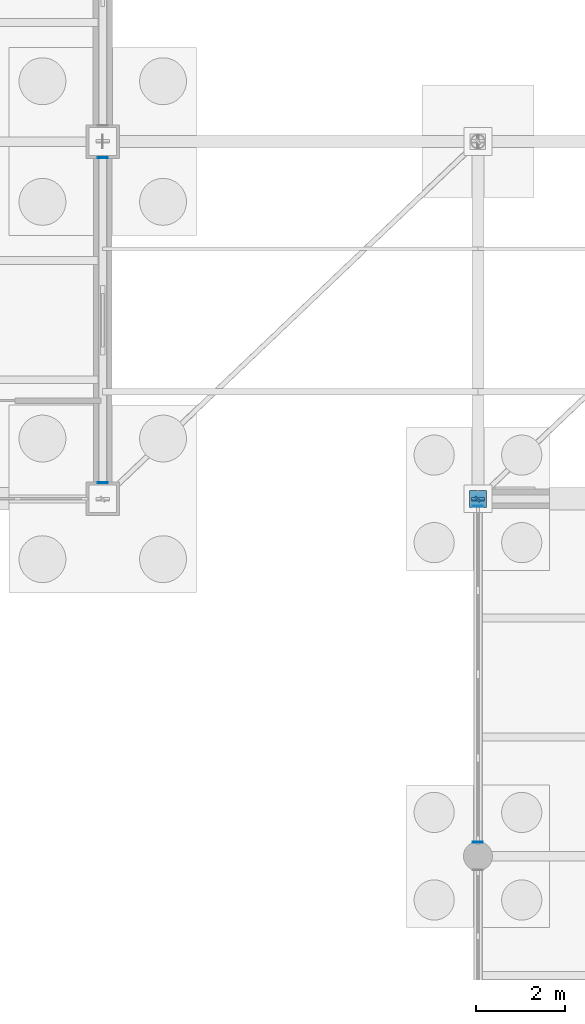
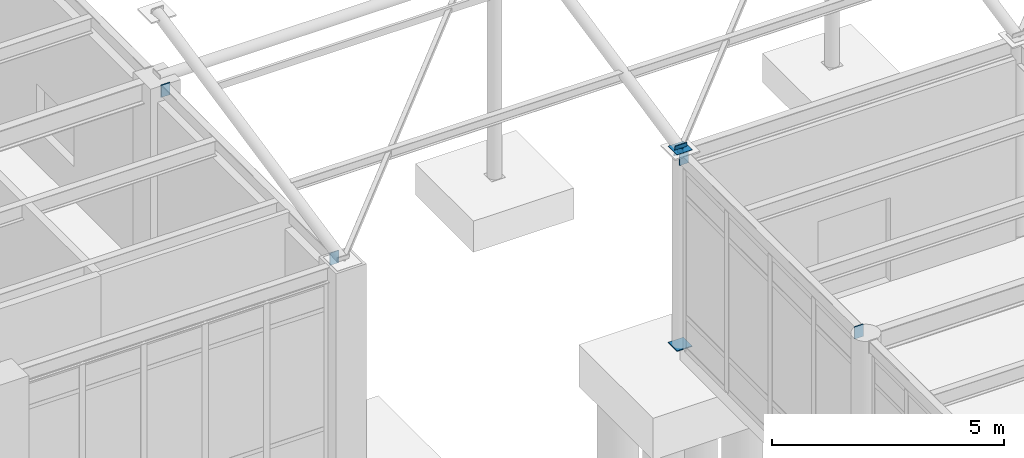
# One storey, part 105 of 138: 8 discrete accessories.
"""IFC4 building model written with IfcOpenShell, lengths in metres."""

from ifc_helpers import new_model, si_unit, direction, frame, origin, origin_2d, place, context, subcontext, project, spatial, rectangle, extrude, material, layer, layer_set, type_object, element, save


model = new_model("IFC4")

# Units and contexts
model_context = context("Model", 3, precision=1e-05, world=origin(), true_north=direction((0.0, 1.0)))
body_context = subcontext(model_context, "Body", "Model", "MODEL_VIEW")
ifc_project = project(units=[si_unit("LENGTHUNIT", "METRE"), si_unit("AREAUNIT", "SQUARE_METRE"), si_unit("VOLUMEUNIT", "CUBIC_METRE"), si_unit("PLANEANGLEUNIT", "RADIAN"), si_unit("MASSUNIT", "GRAM", prefix="KILO")], contexts=[model_context])

# Site, building, storey
site_placement = place(None, origin())
site = spatial("IfcSite", under=ifc_project, at=site_placement, CompositionType="ELEMENT")
building_placement = place(site_placement, origin())
building = spatial("IfcBuilding", under=site, at=building_placement, Name="Kranzveld Transit Interchange", CompositionType="ELEMENT")
storey_placement = place(building_placement, origin())
storey = spatial("IfcBuildingStorey", under=building, at=storey_placement, Name="L00", CompositionType="ELEMENT", Elevation=0.0)

# Discrete accessories
ifc_material = material(Name="Steel S355JR", Category="steel")
ifc_layer = layer(ifc_material, 0.02001953125)
ifc_layer_set = layer_set([ifc_layer], Name="Steel S355JR")
discrete_accessory_type = type_object("IfcDiscreteAccessoryType", Name="Hollow Section End Cap Bracket 20 S355JR", PredefinedType="BRACKET", material=ifc_layer_set)
for number, where, z_axis, x_axis, name in (
    (1, (58.800048828125, 88.0, 0.00390625), (0.0, 0.0, -1.0), (1.0, 0.0, 0.0), "Hollow Section End Cap C-CHS356-1"),
    (2, (58.800048828125, 88.0, 5.14599609375), (0.0, 0.0, 1.0), (1.0, 0.0, 0.0), "Hollow Section End Cap C-CHS356-2"),
):
    element("IfcDiscreteAccessory", number, at=place(storey_placement, frame(where, z_axis=z_axis, x_axis=x_axis)), inside=storey, type_object=discrete_accessory_type, Name=name, PredefinedType="BRACKET", context=body_context, shape_type="SweptSolid", body=[
        extrude(rectangle(XDim=0.379638671875, YDim=0.379638671875, at=origin_2d()), origin(), (0.0, 0.0, 1.0), 0.02001953125),
    ])
for number, where, z_axis, x_axis, name in (
    (3, (50.39990234375, 88.368896484375, 5.0), (0.0, -1.0, 0.0), (1.0, 0.0, 0.0), "Hollow Section End Cap SP-RHS300-1"),
    (4, (50.39990234375, 95.631103515625, 5.0), (0.0, 1.0, 0.0), (-1.0, 0.0, 0.0), "Hollow Section End Cap SP-RHS300-2"),
):
    element("IfcDiscreteAccessory", number, at=place(storey_placement, frame(where, z_axis=z_axis, x_axis=x_axis)), inside=storey, type_object=discrete_accessory_type, Name=name, PredefinedType="BRACKET", context=body_context, shape_type="SweptSolid", body=[
        extrude(rectangle(XDim=0.22412109375, YDim=0.323974609375, at=origin_2d()), origin(), (0.0, 0.0, 1.0), 0.019775390625),
    ])
for number, where, z_axis, x_axis, name in (
    (5, (58.800048828125, 80.319091796875, 5.0), (0.0, -1.0, 0.0), (1.0, 0.0, 0.0), "Hollow Section End Cap SP-RHS300-1"),
    (6, (58.800048828125, 87.828125, 5.0), (0.0, 1.0, 0.0), (-1.0, 0.0, 0.0), "Hollow Section End Cap SP-RHS300-2"),
):
    element("IfcDiscreteAccessory", number, at=place(storey_placement, frame(where, z_axis=z_axis, x_axis=x_axis)), inside=storey, type_object=discrete_accessory_type, Name=name, PredefinedType="BRACKET", context=body_context, shape_type="SweptSolid", body=[
        extrude(rectangle(XDim=0.22412109375, YDim=0.323974609375, at=origin_2d()), origin(), (0.0, 0.0, 1.0), 0.02001953125),
    ])
discrete_accessory_1_placement = place(storey_placement, frame((58.800048828125, 88.00390625, 5.140869140625), z_axis=(0.0, -0.978158850918, -0.20785875582), x_axis=(1.0, 0.0, 0.0)))
element("IfcDiscreteAccessory", 7, at=discrete_accessory_1_placement, inside=storey, type_object=discrete_accessory_type, Name="Hollow Section End Cap ST-CHS273-1", PredefinedType="BRACKET", context=body_context, shape_type="SweptSolid", body=[
    extrude(rectangle(XDim=0.297119140625, YDim=0.297119140625, at=origin_2d()), origin(), (0.0, 0.0, 1.0), 0.02001953125),
])
discrete_accessory_2_placement = place(storey_placement, frame((58.802978515625, 88.002685546875, 5.1005859375), z_axis=(-0.717540706156, -0.681055585504, -0.145940482608), x_axis=(0.688426310031, -0.725306290926, 0.0)))
element("IfcDiscreteAccessory", 8, at=discrete_accessory_2_placement, inside=storey, type_object=discrete_accessory_type, Name="Hollow Section End Cap BR-SHS120-1", PredefinedType="BRACKET", context=body_context, shape_type="SweptSolid", body=[
    extrude(rectangle(XDim=0.14404296875, YDim=0.14404296875, at=origin_2d()), origin(), (0.0, 0.0, 1.0), 0.02001953125),
])

save(model, "model.ifc")
